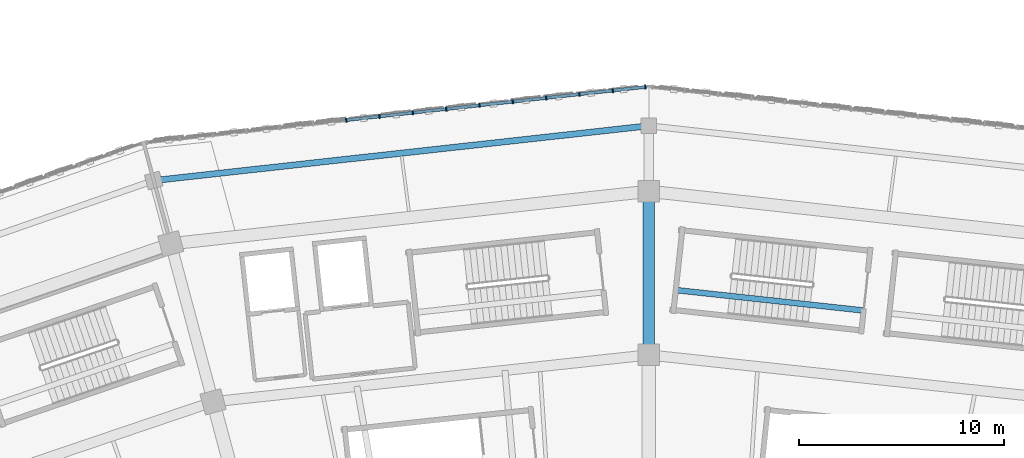
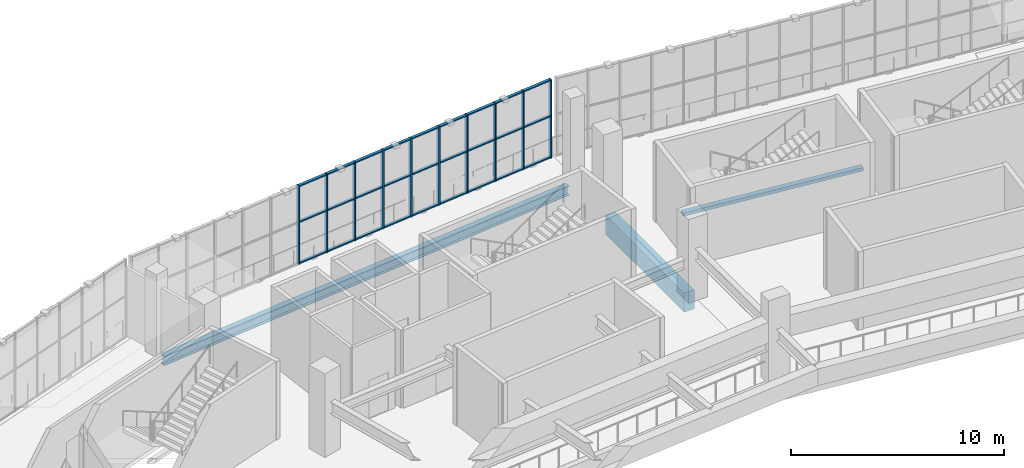
# One storey, part 61 of 179: 37 members, 3 beams, 1 element without a shape of its own.
"""IFC4 building model written with IfcOpenShell, lengths in metres."""

import ifcopenshell
import ifcopenshell.guid

model = None  # the IFC model being written
_history = None  # IfcOwnerHistory: only IFC2X3 demands one
_inside = {}  # id of a spatial element -> (the spatial element, [elements in it])
_under = {}  # id of a project, library or spatial element -> (it, [spatial elements below it])
_declared = {}  # id of a project -> (the project, [libraries it declares])
_typed = {}  # id of a type object -> (the type object, [elements of that type])
_made_of = {}  # id of a material, layer set ... -> (it, [elements and type objects made of it])


def new_model(schema):
    """Start an empty IFC model of exactly this schema.

    Asked for "IFC4X3", IfcOpenShell would pick the latest addendum, in which some entities
    have other attributes; the version numbers below select the first issue.
    IFC2X3 requires an IfcOwnerHistory on every rooted entity: one is made here for all.
    """
    global model, _history
    if schema == "IFC4X3":
        model = ifcopenshell.file(schema_version=(4, 3, 0, 0))
    else:
        model = ifcopenshell.file(schema=schema)
    _inside.clear()
    _under.clear()
    _declared.clear()
    _typed.clear()
    _made_of.clear()
    _history = None
    if model.schema == "IFC2X3":
        org = make("IfcOrganization", Name="unknown")
        user = make(
            "IfcPersonAndOrganization",
            ThePerson=make("IfcPerson", FamilyName="unknown"),
            TheOrganization=org,
        )
        app = make(
            "IfcApplication",
            ApplicationDeveloper=org,
            Version="unknown",
            ApplicationFullName="unknown",
            ApplicationIdentifier="unknown",
        )
        _history = make(
            "IfcOwnerHistory",
            OwningUser=user,
            OwningApplication=app,
            ChangeAction="ADDED",
            CreationDate=0,
        )
    return model


def make(cls, **values):
    """One entity of the class cls with the attributes given. An attribute that is None is left unset."""
    return model.create_entity(
        cls, **{name: value for name, value in values.items() if value is not None}
    )


def rooted(cls, **values):
    """An entity with a GlobalId (a new one), such as an element, a storey or a relation."""
    return make(cls, GlobalId=ifcopenshell.guid.new(), OwnerHistory=_history, **values)


def si_unit(unit_type, name, prefix=None):
    """IfcSIUnit, for example si_unit("LENGTHUNIT", "METRE", prefix="MILLI")."""
    return make("IfcSIUnit", UnitType=unit_type, Prefix=prefix, Name=name)


def assignment(units):
    """IfcUnitAssignment: the units of a project."""
    return None if units is None else make("IfcUnitAssignment", Units=units)


def point(xyz):
    """IfcCartesianPoint."""
    return None if xyz is None else make("IfcCartesianPoint", Coordinates=xyz)


def direction(xyz):
    """IfcDirection."""
    return None if xyz is None else make("IfcDirection", DirectionRatios=xyz)


def frame(location, z_axis=None, x_axis=None):
    """IfcAxis2Placement3D, a coordinate frame: its origin and axes. An axis left out is left unset."""
    return make(
        "IfcAxis2Placement3D",
        Location=point(location),
        Axis=direction(z_axis),
        RefDirection=direction(x_axis),
    )


def frame_2d(location, x_axis=None):
    """IfcAxis2Placement2D, a coordinate frame in the plane: its origin and x axis."""
    return make(
        "IfcAxis2Placement2D", Location=point(location), RefDirection=direction(x_axis)
    )


def origin():
    """The frame at (0, 0, 0) with its axes left unset."""
    return frame((0.0, 0.0, 0.0))


def origin_2d():
    """The frame at (0, 0) in the plane with its x axis left unset."""
    return frame_2d((0.0, 0.0))


def place(relative_to, where):
    """IfcLocalPlacement: puts the frame where relative to a parent placement (None: the world)."""
    return make(
        "IfcLocalPlacement", PlacementRelTo=relative_to, RelativePlacement=where
    )


def context(
    kind, dimensions, precision=None, world=None, true_north=None, identifier=None
):
    """IfcGeometricRepresentationContext, for example the 3D "Model" context."""
    return make(
        "IfcGeometricRepresentationContext",
        ContextIdentifier=identifier,
        ContextType=kind,
        CoordinateSpaceDimension=dimensions,
        Precision=precision,
        WorldCoordinateSystem=world,
        TrueNorth=true_north,
    )


def subcontext(parent, identifier, kind, view, scale=None):
    """IfcGeometricRepresentationSubContext, for example "Body" below "Model"."""
    return make(
        "IfcGeometricRepresentationSubContext",
        ContextIdentifier=identifier,
        ContextType=kind,
        ParentContext=parent,
        TargetScale=scale,
        TargetView=view,
    )


def project(units=None, contexts=None):
    """IfcProject with its units and contexts."""
    return rooted(
        "IfcProject",
        Name="project",
        RepresentationContexts=contexts,
        UnitsInContext=assignment(units),
    )


def spatial(cls, under=None, at=None, **own):
    """A site, building, storey or space (cls), placed at a placement, below another one or the project."""
    s = rooted(cls, ObjectPlacement=at, **own)
    if under is not None:
        _under.setdefault(under.id(), (under, []))[1].append(s)
    return s


def profile(cls, at=None, kind="AREA", **sizes):
    """A parametric profile (cls). Its sizes go by their IFC names, for example OverallWidth=200.0."""
    return make(cls, ProfileType=kind, Position=at, **sizes)


def rectangle(**sizes):
    """IfcRectangleProfileDef."""
    return profile("IfcRectangleProfileDef", **sizes)


def i_section(**sizes):
    """IfcIShapeProfileDef."""
    return profile("IfcIShapeProfileDef", **sizes)


def extrude(swept, where, along, depth):
    """IfcExtrudedAreaSolid: the profile swept, set in the frame where, extruded along a direction by depth."""
    return make(
        "IfcExtrudedAreaSolid",
        SweptArea=swept,
        Position=where,
        ExtrudedDirection=direction(along),
        Depth=depth,
    )


def shape(context_of_items, identifier, shape_type, items):
    """IfcShapeRepresentation: the items that make up one representation, for example the "Body"."""
    return make(
        "IfcShapeRepresentation",
        ContextOfItems=context_of_items,
        RepresentationIdentifier=identifier,
        RepresentationType=shape_type,
        Items=items,
    )


def material(Name=None, Category=None):
    """IfcMaterial."""
    return make("IfcMaterial", Name=Name, Category=Category)


def material_profile(
    of_material, cross_section, Name=None, Category=None, Priority=None
):
    """IfcMaterialProfile: a cross section and its material."""
    return make(
        "IfcMaterialProfile",
        Name=Name,
        Material=of_material,
        Profile=cross_section,
        Priority=Priority,
        Category=Category,
    )


def profile_set(profiles, Name=None, composite=None):
    """IfcMaterialProfileSet."""
    return make(
        "IfcMaterialProfileSet",
        Name=Name,
        MaterialProfiles=profiles,
        CompositeProfile=composite,
    )


def made_of(thing, what):
    """Note that an element or type object is made of a material, layer set ...; save() writes the relation."""
    if what is not None:
        _made_of.setdefault(what.id(), (what, []))[1].append(thing)
    return thing


def type_object(cls, material=None, **own):
    """A type object (cls), such as IfcWallType, which elements share."""
    return made_of(rooted(cls, **own), material)


def element(
    cls,
    number,
    at=None,
    inside=None,
    cuts=None,
    type_object=None,
    material=None,
    context=None,
    identifier="Body",
    shape_type=None,
    held_by="IfcProductDefinitionShape",
    body=None,
    shapes=None,
    **own,
):
    """One element of the class cls, such as IfcWall. Its Tag is "e" and its number.

    at: its placement. inside: the storey or other place that contains it. cuts: it is an
    opening in that element (IfcRelVoidsElement). A single representation is given by context,
    identifier, shape_type and body (its items); several are given by shapes. held_by: the class
    of the entity that holds the representations. save() writes the other relations.
    """
    e = rooted(cls, Tag="e%d" % number, ObjectPlacement=at, **own)
    if body is not None:
        shapes = [shape(context, identifier, shape_type, body)]
    if shapes is not None:
        e.Representation = make(held_by, Representations=shapes)
    if inside is not None:
        _inside.setdefault(inside.id(), (inside, []))[1].append(e)
    if cuts is not None:
        rooted(
            "IfcRelVoidsElement", RelatingBuildingElement=cuts, RelatedOpeningElement=e
        )
    if type_object is not None:
        _typed.setdefault(type_object.id(), (type_object, []))[1].append(e)
    return made_of(e, material)


def aggregate(whole, parts):
    """IfcRelAggregates: a whole, such as a stair, and the parts it consists of."""
    return rooted("IfcRelAggregates", RelatingObject=whole, RelatedObjects=parts)


def save(model, path):
    """Write the relations noted so far, then the file.

    IfcRelAggregates (storeys below a building ...), IfcRelContainedInSpatialStructure (elements
    in a storey), IfcRelDefinesByType, IfcRelAssociatesMaterial and IfcRelDeclares: one each for
    every whole, place, type object, material and project.
    """
    for whole, parts in _under.values():
        aggregate(whole, parts)
    for where, things in _inside.values():
        rooted(
            "IfcRelContainedInSpatialStructure",
            RelatedElements=things,
            RelatingStructure=where,
        )
    for kind, things in _typed.values():
        rooted("IfcRelDefinesByType", RelatedObjects=things, RelatingType=kind)
    for what, things in _made_of.values():
        rooted("IfcRelAssociatesMaterial", RelatedObjects=things, RelatingMaterial=what)
    for by, libraries in _declared.values():
        rooted("IfcRelDeclares", RelatingContext=by, RelatedDefinitions=libraries)
    model.write(path)


model = new_model("IFC4")

# Units and contexts
model_context = context("Model", 3, precision=1e-05, world=origin(), true_north=direction((0.0, 1.0)))
body_context = subcontext(model_context, "Body", "Model", "MODEL_VIEW")
ifc_project = project(units=[si_unit("LENGTHUNIT", "METRE"), si_unit("AREAUNIT", "SQUARE_METRE"), si_unit("VOLUMEUNIT", "CUBIC_METRE"), si_unit("PLANEANGLEUNIT", "RADIAN"), si_unit("MASSUNIT", "GRAM", prefix="KILO")], contexts=[model_context])

# Site, building, storey
site_placement = place(None, origin())
site = spatial("IfcSite", under=ifc_project, at=site_placement, CompositionType="ELEMENT")
building_placement = place(site_placement, origin())
building = spatial("IfcBuilding", under=site, at=building_placement, Name="Zevraka Park Crest Stadium", CompositionType="ELEMENT")
storey_placement = place(building_placement, frame((0.0, 0.0, 10.199951171875)))
storey = spatial("IfcBuildingStorey", under=building, at=storey_placement, Name="L02", CompositionType="ELEMENT", Elevation=10.199951171875)

# Beam
ifc_material_1 = material(Name="Concrete C40/50", Category="concrete")
ifc_material_profile_1 = material_profile(ifc_material_1, rectangle(XDim=0.550048828125, YDim=1.10009765625, at=origin_2d()), Name="RC 1100x550")
ifc_profile_set_1 = profile_set([ifc_material_profile_1], Name="Concrete C40/50")
beam_type_1 = type_object("IfcBeamType", Name="BG02", PredefinedType="BEAM", material=ifc_profile_set_1)
beam_1_placement = place(storey_placement, frame((112.0, 159.60009765625, -0.56005859375), z_axis=(0.0, 1.0, 0.0), x_axis=(-1.0, 0.0, 0.0)))
element("IfcBeam", 1, at=beam_1_placement, inside=storey, type_object=beam_type_1, Name="Radial Girder BG02 L02-CD-06", PredefinedType="BEAM", context=body_context, shape_type="SweptSolid", body=[
    extrude(rectangle(XDim=0.550048828125, YDim=1.10009765625, at=origin_2d()), origin(), (0.0, 0.0, 1.0), 7.39990234375),
])

# Curtain wall, members
ifc_material_2 = material(Name="Anodised architectural aluminium and laminated safety glass", Category="aluminium")
curtain_wall_type = type_object("IfcCurtainWallType", Name="CW06", PredefinedType="NOTDEFINED", material=ifc_material_2)
curtain_wall_placement = place(storey_placement, origin())
curtain_wall = element("IfcCurtainWall", 2, at=curtain_wall_placement, inside=storey, type_object=curtain_wall_type, Name="Unitised Ring Curtain Wall CW06 L02-06", PredefinedType="NOTDEFINED")
ifc_material_3 = material(Name="Anodised architectural aluminium", Category="aluminium")
ifc_material_profile_2 = material_profile(ifc_material_3, rectangle(XDim=0.199951171875, YDim=0.070068359375, at=origin_2d()), Name="ALU MULLION 200x70")
ifc_profile_set_2 = profile_set([ifc_material_profile_2], Name="Anodised architectural aluminium")
member_type_1 = type_object("IfcMemberType", Name="CM03", PredefinedType="MULLION", material=ifc_profile_set_2)
member_1_placement = place(storey_placement, frame((111.835205078125, 172.401123046875, 0.0), z_axis=(0.0, 0.0, 1.0), x_axis=(0.110293152687, -0.993899099743, 0.0)))
member_1 = element("IfcMember", 3, at=member_1_placement, type_object=member_type_1, Name="CW06 mullion 1", PredefinedType="MULLION", context=body_context, shape_type="SweptSolid", body=[
    extrude(rectangle(XDim=0.199951171875, YDim=0.070068359375, at=origin_2d()), origin(), (0.0, 0.0, 1.0), 4.5),
])
member_2_placement = place(storey_placement, frame((110.24072265625, 172.22412109375, 0.0), z_axis=(0.0, 0.0, 1.0), x_axis=(0.110293152687, -0.993899099743, 0.0)))
member_2 = element("IfcMember", 4, at=member_2_placement, type_object=member_type_1, Name="CW06 mullion 2", PredefinedType="MULLION", context=body_context, shape_type="SweptSolid", body=[
    extrude(rectangle(XDim=0.199951171875, YDim=0.070068359375, at=origin_2d()), origin(), (0.0, 0.0, 1.0), 4.5),
])
member_3_placement = place(storey_placement, frame((108.611572265625, 172.04345703125, 0.0), z_axis=(0.0, 0.0, 1.0), x_axis=(0.110293152687, -0.993899099743, 0.0)))
member_3 = element("IfcMember", 5, at=member_3_placement, type_object=member_type_1, Name="CW06 mullion 3", PredefinedType="MULLION", context=body_context, shape_type="SweptSolid", body=[
    extrude(rectangle(XDim=0.199951171875, YDim=0.070068359375, at=origin_2d()), origin(), (0.0, 0.0, 1.0), 4.5),
])
member_4_placement = place(storey_placement, frame((106.982177734375, 171.862548828125, 0.0), z_axis=(0.0, 0.0, 1.0), x_axis=(0.110293152687, -0.993899099743, 0.0)))
member_4 = element("IfcMember", 6, at=member_4_placement, type_object=member_type_1, Name="CW06 mullion 4", PredefinedType="MULLION", context=body_context, shape_type="SweptSolid", body=[
    extrude(rectangle(XDim=0.199951171875, YDim=0.070068359375, at=origin_2d()), origin(), (0.0, 0.0, 1.0), 4.5),
])
member_5_placement = place(storey_placement, frame((105.35302734375, 171.681884765625, 0.0), z_axis=(0.0, 0.0, 1.0), x_axis=(0.110293152687, -0.993899099743, 0.0)))
member_5 = element("IfcMember", 7, at=member_5_placement, type_object=member_type_1, Name="CW06 mullion 5", PredefinedType="MULLION", context=body_context, shape_type="SweptSolid", body=[
    extrude(rectangle(XDim=0.199951171875, YDim=0.070068359375, at=origin_2d()), origin(), (0.0, 0.0, 1.0), 4.5),
])
member_6_placement = place(storey_placement, frame((103.7236328125, 171.5009765625, 0.0), z_axis=(0.0, 0.0, 1.0), x_axis=(0.110293152687, -0.993899099743, 0.0)))
member_6 = element("IfcMember", 8, at=member_6_placement, type_object=member_type_1, Name="CW06 mullion 6", PredefinedType="MULLION", context=body_context, shape_type="SweptSolid", body=[
    extrude(rectangle(XDim=0.199951171875, YDim=0.070068359375, at=origin_2d()), origin(), (0.0, 0.0, 1.0), 4.5),
])
member_7_placement = place(storey_placement, frame((102.094482421875, 171.3203125, 0.0), z_axis=(0.0, 0.0, 1.0), x_axis=(0.110293152687, -0.993899099743, 0.0)))
member_7 = element("IfcMember", 9, at=member_7_placement, type_object=member_type_1, Name="CW06 mullion 7", PredefinedType="MULLION", context=body_context, shape_type="SweptSolid", body=[
    extrude(rectangle(XDim=0.199951171875, YDim=0.070068359375, at=origin_2d()), origin(), (0.0, 0.0, 1.0), 4.5),
])
member_8_placement = place(storey_placement, frame((100.465087890625, 171.139404296875, 0.0), z_axis=(0.0, 0.0, 1.0), x_axis=(0.110293152687, -0.993899099743, 0.0)))
member_8 = element("IfcMember", 10, at=member_8_placement, type_object=member_type_1, Name="CW06 mullion 8", PredefinedType="MULLION", context=body_context, shape_type="SweptSolid", body=[
    extrude(rectangle(XDim=0.199951171875, YDim=0.070068359375, at=origin_2d()), origin(), (0.0, 0.0, 1.0), 4.5),
])
member_9_placement = place(storey_placement, frame((98.8359375, 170.95849609375, 0.0), z_axis=(0.0, 0.0, 1.0), x_axis=(0.110293152687, -0.993899099743, 0.0)))
member_9 = element("IfcMember", 11, at=member_9_placement, type_object=member_type_1, Name="CW06 mullion 9", PredefinedType="MULLION", context=body_context, shape_type="SweptSolid", body=[
    extrude(rectangle(XDim=0.199951171875, YDim=0.070068359375, at=origin_2d()), origin(), (0.0, 0.0, 1.0), 4.5),
])
member_10_placement = place(storey_placement, frame((97.20654296875, 170.77783203125, 0.0), z_axis=(0.0, 0.0, 1.0), x_axis=(0.110293152687, -0.993899099743, 0.0)))
member_10 = element("IfcMember", 12, at=member_10_placement, type_object=member_type_1, Name="CW06 mullion 10", PredefinedType="MULLION", context=body_context, shape_type="SweptSolid", body=[
    extrude(rectangle(XDim=0.199951171875, YDim=0.070068359375, at=origin_2d()), origin(), (0.0, 0.0, 1.0), 4.5),
])
ifc_material_4 = material(Name="Anodised architectural aluminium", Category="aluminium")
ifc_material_profile_3 = material_profile(ifc_material_4, rectangle(XDim=0.14990234375, YDim=0.070068359375, at=origin_2d()), Name="ALU TRANSOM 150x70")
ifc_profile_set_3 = profile_set([ifc_material_profile_3], Name="Anodised architectural aluminium")
member_type_2 = type_object("IfcMemberType", Name="CT03", PredefinedType="USERDEFINED", material=ifc_profile_set_3)
member_11_placement = place(storey_placement, frame((111.800537109375, 172.397216796875, 0.03515625), z_axis=(-0.993901187296, -0.110274339224, 0.0), x_axis=(0.110274339224, -0.993901187296, 0.0)))
member_11 = element("IfcMember", 13, at=member_11_placement, type_object=member_type_2, Name="CW06 transom 1.1", ObjectType="TRANSOM", PredefinedType="USERDEFINED", context=body_context, shape_type="SweptSolid", body=[
    extrude(rectangle(XDim=0.14990234375, YDim=0.070068359375, at=origin_2d()), origin(), (0.0, 0.0, 1.0), 1.5341796875),
])
member_12_placement = place(storey_placement, frame((111.800537109375, 172.397216796875, 2.400146484375), z_axis=(-0.993901187296, -0.110274339224, 0.0), x_axis=(0.110274339224, -0.993901187296, 0.0)))
member_12 = element("IfcMember", 14, at=member_12_placement, type_object=member_type_2, Name="CW06 transom 1.2", ObjectType="TRANSOM", PredefinedType="USERDEFINED", context=body_context, shape_type="SweptSolid", body=[
    extrude(rectangle(XDim=0.14990234375, YDim=0.070068359375, at=origin_2d()), origin(), (0.0, 0.0, 1.0), 1.5341796875),
])
member_13_placement = place(storey_placement, frame((111.800537109375, 172.397216796875, 4.465087890625), z_axis=(-0.993901187296, -0.110274339224, 0.0), x_axis=(0.110274339224, -0.993901187296, 0.0)))
member_13 = element("IfcMember", 15, at=member_13_placement, type_object=member_type_2, Name="CW06 transom 1.3", ObjectType="TRANSOM", PredefinedType="USERDEFINED", context=body_context, shape_type="SweptSolid", body=[
    extrude(rectangle(XDim=0.14990234375, YDim=0.070068359375, at=origin_2d()), origin(), (0.0, 0.0, 1.0), 1.5341796875),
])
member_14_placement = place(storey_placement, frame((110.2060546875, 172.220458984375, 0.03515625), z_axis=(-0.993898902271, -0.110294932182, 0.0), x_axis=(0.110294932182, -0.993898902271, 0.0)))
member_14 = element("IfcMember", 16, at=member_14_placement, type_object=member_type_2, Name="CW06 transom 2.1", ObjectType="TRANSOM", PredefinedType="USERDEFINED", context=body_context, shape_type="SweptSolid", body=[
    extrude(rectangle(XDim=0.14990234375, YDim=0.070068359375, at=origin_2d()), origin(), (0.0, 0.0, 1.0), 1.5693359375),
])
member_15_placement = place(storey_placement, frame((110.2060546875, 172.220458984375, 2.400146484375), z_axis=(-0.993898902271, -0.110294932182, 0.0), x_axis=(0.110294932182, -0.993898902271, 0.0)))
member_15 = element("IfcMember", 17, at=member_15_placement, type_object=member_type_2, Name="CW06 transom 2.2", ObjectType="TRANSOM", PredefinedType="USERDEFINED", context=body_context, shape_type="SweptSolid", body=[
    extrude(rectangle(XDim=0.14990234375, YDim=0.070068359375, at=origin_2d()), origin(), (0.0, 0.0, 1.0), 1.5693359375),
])
member_16_placement = place(storey_placement, frame((110.2060546875, 172.220458984375, 4.465087890625), z_axis=(-0.993898902271, -0.110294932182, 0.0), x_axis=(0.110294932182, -0.993898902271, 0.0)))
member_16 = element("IfcMember", 18, at=member_16_placement, type_object=member_type_2, Name="CW06 transom 2.3", ObjectType="TRANSOM", PredefinedType="USERDEFINED", context=body_context, shape_type="SweptSolid", body=[
    extrude(rectangle(XDim=0.14990234375, YDim=0.070068359375, at=origin_2d()), origin(), (0.0, 0.0, 1.0), 1.5693359375),
])
member_17_placement = place(storey_placement, frame((108.57666015625, 172.03955078125, 0.03515625), z_axis=(-0.993897009399, -0.11031198805, 0.0), x_axis=(0.11031198805, -0.993897009399, 0.0)))
member_17 = element("IfcMember", 19, at=member_17_placement, type_object=member_type_2, Name="CW06 transom 3.1", ObjectType="TRANSOM", PredefinedType="USERDEFINED", context=body_context, shape_type="SweptSolid", body=[
    extrude(rectangle(XDim=0.14990234375, YDim=0.070068359375, at=origin_2d()), origin(), (0.0, 0.0, 1.0), 1.569091796875),
])
member_18_placement = place(storey_placement, frame((108.57666015625, 172.03955078125, 2.400146484375), z_axis=(-0.993897009399, -0.11031198805, 0.0), x_axis=(0.11031198805, -0.993897009399, 0.0)))
member_18 = element("IfcMember", 20, at=member_18_placement, type_object=member_type_2, Name="CW06 transom 3.2", ObjectType="TRANSOM", PredefinedType="USERDEFINED", context=body_context, shape_type="SweptSolid", body=[
    extrude(rectangle(XDim=0.14990234375, YDim=0.070068359375, at=origin_2d()), origin(), (0.0, 0.0, 1.0), 1.569091796875),
])
member_19_placement = place(storey_placement, frame((108.57666015625, 172.03955078125, 4.465087890625), z_axis=(-0.993897009399, -0.11031198805, 0.0), x_axis=(0.11031198805, -0.993897009399, 0.0)))
member_19 = element("IfcMember", 21, at=member_19_placement, type_object=member_type_2, Name="CW06 transom 3.3", ObjectType="TRANSOM", PredefinedType="USERDEFINED", context=body_context, shape_type="SweptSolid", body=[
    extrude(rectangle(XDim=0.14990234375, YDim=0.070068359375, at=origin_2d()), origin(), (0.0, 0.0, 1.0), 1.569091796875),
])
member_20_placement = place(storey_placement, frame((106.947509765625, 171.858642578125, 0.03515625), z_axis=(-0.993898902271, -0.110294932182, 0.0), x_axis=(0.110294932182, -0.993898902271, 0.0)))
member_20 = element("IfcMember", 22, at=member_20_placement, type_object=member_type_2, Name="CW06 transom 4.1", ObjectType="TRANSOM", PredefinedType="USERDEFINED", context=body_context, shape_type="SweptSolid", body=[
    extrude(rectangle(XDim=0.14990234375, YDim=0.070068359375, at=origin_2d()), origin(), (0.0, 0.0, 1.0), 1.5693359375),
])
member_21_placement = place(storey_placement, frame((106.947509765625, 171.858642578125, 2.400146484375), z_axis=(-0.993898902271, -0.110294932182, 0.0), x_axis=(0.110294932182, -0.993898902271, 0.0)))
member_21 = element("IfcMember", 23, at=member_21_placement, type_object=member_type_2, Name="CW06 transom 4.2", ObjectType="TRANSOM", PredefinedType="USERDEFINED", context=body_context, shape_type="SweptSolid", body=[
    extrude(rectangle(XDim=0.14990234375, YDim=0.070068359375, at=origin_2d()), origin(), (0.0, 0.0, 1.0), 1.5693359375),
])
member_22_placement = place(storey_placement, frame((106.947509765625, 171.858642578125, 4.465087890625), z_axis=(-0.993898902271, -0.110294932182, 0.0), x_axis=(0.110294932182, -0.993898902271, 0.0)))
member_22 = element("IfcMember", 24, at=member_22_placement, type_object=member_type_2, Name="CW06 transom 4.3", ObjectType="TRANSOM", PredefinedType="USERDEFINED", context=body_context, shape_type="SweptSolid", body=[
    extrude(rectangle(XDim=0.14990234375, YDim=0.070068359375, at=origin_2d()), origin(), (0.0, 0.0, 1.0), 1.5693359375),
])
member_23_placement = place(storey_placement, frame((105.318115234375, 171.677978515625, 0.03515625), z_axis=(-0.993897009399, -0.11031198805, 0.0), x_axis=(0.11031198805, -0.993897009399, 0.0)))
member_23 = element("IfcMember", 25, at=member_23_placement, type_object=member_type_2, Name="CW06 transom 5.1", ObjectType="TRANSOM", PredefinedType="USERDEFINED", context=body_context, shape_type="SweptSolid", body=[
    extrude(rectangle(XDim=0.14990234375, YDim=0.070068359375, at=origin_2d()), origin(), (0.0, 0.0, 1.0), 1.569091796875),
])
member_24_placement = place(storey_placement, frame((105.318115234375, 171.677978515625, 2.400146484375), z_axis=(-0.993897009399, -0.11031198805, 0.0), x_axis=(0.11031198805, -0.993897009399, 0.0)))
member_24 = element("IfcMember", 26, at=member_24_placement, type_object=member_type_2, Name="CW06 transom 5.2", ObjectType="TRANSOM", PredefinedType="USERDEFINED", context=body_context, shape_type="SweptSolid", body=[
    extrude(rectangle(XDim=0.14990234375, YDim=0.070068359375, at=origin_2d()), origin(), (0.0, 0.0, 1.0), 1.569091796875),
])
member_25_placement = place(storey_placement, frame((105.318115234375, 171.677978515625, 4.465087890625), z_axis=(-0.993897009399, -0.11031198805, 0.0), x_axis=(0.11031198805, -0.993897009399, 0.0)))
member_25 = element("IfcMember", 27, at=member_25_placement, type_object=member_type_2, Name="CW06 transom 5.3", ObjectType="TRANSOM", PredefinedType="USERDEFINED", context=body_context, shape_type="SweptSolid", body=[
    extrude(rectangle(XDim=0.14990234375, YDim=0.070068359375, at=origin_2d()), origin(), (0.0, 0.0, 1.0), 1.569091796875),
])
member_26_placement = place(storey_placement, frame((103.68896484375, 171.4970703125, 0.03515625), z_axis=(-0.993898902271, -0.110294932182, 0.0), x_axis=(0.110294932182, -0.993898902271, 0.0)))
member_26 = element("IfcMember", 28, at=member_26_placement, type_object=member_type_2, Name="CW06 transom 6.1", ObjectType="TRANSOM", PredefinedType="USERDEFINED", context=body_context, shape_type="SweptSolid", body=[
    extrude(rectangle(XDim=0.14990234375, YDim=0.070068359375, at=origin_2d()), origin(), (0.0, 0.0, 1.0), 1.5693359375),
])
member_27_placement = place(storey_placement, frame((103.68896484375, 171.4970703125, 2.400146484375), z_axis=(-0.993898902271, -0.110294932182, 0.0), x_axis=(0.110294932182, -0.993898902271, 0.0)))
member_27 = element("IfcMember", 29, at=member_27_placement, type_object=member_type_2, Name="CW06 transom 6.2", ObjectType="TRANSOM", PredefinedType="USERDEFINED", context=body_context, shape_type="SweptSolid", body=[
    extrude(rectangle(XDim=0.14990234375, YDim=0.070068359375, at=origin_2d()), origin(), (0.0, 0.0, 1.0), 1.5693359375),
])
member_28_placement = place(storey_placement, frame((103.68896484375, 171.4970703125, 4.465087890625), z_axis=(-0.993898902271, -0.110294932182, 0.0), x_axis=(0.110294932182, -0.993898902271, 0.0)))
member_28 = element("IfcMember", 30, at=member_28_placement, type_object=member_type_2, Name="CW06 transom 6.3", ObjectType="TRANSOM", PredefinedType="USERDEFINED", context=body_context, shape_type="SweptSolid", body=[
    extrude(rectangle(XDim=0.14990234375, YDim=0.070068359375, at=origin_2d()), origin(), (0.0, 0.0, 1.0), 1.5693359375),
])
member_29_placement = place(storey_placement, frame((102.0595703125, 171.31640625, 0.03515625), z_axis=(-0.993897009399, -0.11031198805, 0.0), x_axis=(0.11031198805, -0.993897009399, 0.0)))
member_29 = element("IfcMember", 31, at=member_29_placement, type_object=member_type_2, Name="CW06 transom 7.1", ObjectType="TRANSOM", PredefinedType="USERDEFINED", context=body_context, shape_type="SweptSolid", body=[
    extrude(rectangle(XDim=0.14990234375, YDim=0.070068359375, at=origin_2d()), origin(), (0.0, 0.0, 1.0), 1.569091796875),
])
member_30_placement = place(storey_placement, frame((102.0595703125, 171.31640625, 2.400146484375), z_axis=(-0.993897009399, -0.11031198805, 0.0), x_axis=(0.11031198805, -0.993897009399, 0.0)))
member_30 = element("IfcMember", 32, at=member_30_placement, type_object=member_type_2, Name="CW06 transom 7.2", ObjectType="TRANSOM", PredefinedType="USERDEFINED", context=body_context, shape_type="SweptSolid", body=[
    extrude(rectangle(XDim=0.14990234375, YDim=0.070068359375, at=origin_2d()), origin(), (0.0, 0.0, 1.0), 1.569091796875),
])
member_31_placement = place(storey_placement, frame((102.0595703125, 171.31640625, 4.465087890625), z_axis=(-0.993897009399, -0.11031198805, 0.0), x_axis=(0.11031198805, -0.993897009399, 0.0)))
member_31 = element("IfcMember", 33, at=member_31_placement, type_object=member_type_2, Name="CW06 transom 7.3", ObjectType="TRANSOM", PredefinedType="USERDEFINED", context=body_context, shape_type="SweptSolid", body=[
    extrude(rectangle(XDim=0.14990234375, YDim=0.070068359375, at=origin_2d()), origin(), (0.0, 0.0, 1.0), 1.569091796875),
])
member_32_placement = place(storey_placement, frame((100.430419921875, 171.135498046875, 0.03515625), z_axis=(-0.993898902271, -0.110294932182, 0.0), x_axis=(0.110294932182, -0.993898902271, 0.0)))
member_32 = element("IfcMember", 34, at=member_32_placement, type_object=member_type_2, Name="CW06 transom 8.1", ObjectType="TRANSOM", PredefinedType="USERDEFINED", context=body_context, shape_type="SweptSolid", body=[
    extrude(rectangle(XDim=0.14990234375, YDim=0.070068359375, at=origin_2d()), origin(), (0.0, 0.0, 1.0), 1.5693359375),
])
member_33_placement = place(storey_placement, frame((100.430419921875, 171.135498046875, 2.400146484375), z_axis=(-0.993898902271, -0.110294932182, 0.0), x_axis=(0.110294932182, -0.993898902271, 0.0)))
member_33 = element("IfcMember", 35, at=member_33_placement, type_object=member_type_2, Name="CW06 transom 8.2", ObjectType="TRANSOM", PredefinedType="USERDEFINED", context=body_context, shape_type="SweptSolid", body=[
    extrude(rectangle(XDim=0.14990234375, YDim=0.070068359375, at=origin_2d()), origin(), (0.0, 0.0, 1.0), 1.5693359375),
])
member_34_placement = place(storey_placement, frame((100.430419921875, 171.135498046875, 4.465087890625), z_axis=(-0.993898902271, -0.110294932182, 0.0), x_axis=(0.110294932182, -0.993898902271, 0.0)))
member_34 = element("IfcMember", 36, at=member_34_placement, type_object=member_type_2, Name="CW06 transom 8.3", ObjectType="TRANSOM", PredefinedType="USERDEFINED", context=body_context, shape_type="SweptSolid", body=[
    extrude(rectangle(XDim=0.14990234375, YDim=0.070068359375, at=origin_2d()), origin(), (0.0, 0.0, 1.0), 1.5693359375),
])
member_35_placement = place(storey_placement, frame((98.801025390625, 170.954833984375, 0.03515625), z_axis=(-0.993897009399, -0.11031198805, 0.0), x_axis=(0.11031198805, -0.993897009399, 0.0)))
member_35 = element("IfcMember", 37, at=member_35_placement, type_object=member_type_2, Name="CW06 transom 9.1", ObjectType="TRANSOM", PredefinedType="USERDEFINED", context=body_context, shape_type="SweptSolid", body=[
    extrude(rectangle(XDim=0.14990234375, YDim=0.070068359375, at=origin_2d()), origin(), (0.0, 0.0, 1.0), 1.569091796875),
])
member_36_placement = place(storey_placement, frame((98.801025390625, 170.954833984375, 2.400146484375), z_axis=(-0.993897009399, -0.11031198805, 0.0), x_axis=(0.11031198805, -0.993897009399, 0.0)))
member_36 = element("IfcMember", 38, at=member_36_placement, type_object=member_type_2, Name="CW06 transom 9.2", ObjectType="TRANSOM", PredefinedType="USERDEFINED", context=body_context, shape_type="SweptSolid", body=[
    extrude(rectangle(XDim=0.14990234375, YDim=0.070068359375, at=origin_2d()), origin(), (0.0, 0.0, 1.0), 1.569091796875),
])
member_37_placement = place(storey_placement, frame((98.801025390625, 170.954833984375, 4.465087890625), z_axis=(-0.993897009399, -0.11031198805, 0.0), x_axis=(0.11031198805, -0.993897009399, 0.0)))
member_37 = element("IfcMember", 39, at=member_37_placement, type_object=member_type_2, Name="CW06 transom 9.3", ObjectType="TRANSOM", PredefinedType="USERDEFINED", context=body_context, shape_type="SweptSolid", body=[
    extrude(rectangle(XDim=0.14990234375, YDim=0.070068359375, at=origin_2d()), origin(), (0.0, 0.0, 1.0), 1.569091796875),
])
aggregate(curtain_wall, [member_1, member_2, member_3, member_4, member_5, member_6, member_7, member_8, member_9, member_10, member_11, member_12, member_13, member_14, member_15, member_16, member_17, member_18, member_19, member_20, member_21, member_22, member_23, member_24, member_25, member_26, member_27, member_28, member_29, member_30, member_31, member_32, member_33, member_34, member_35, member_36, member_37])

# Beams
ifc_material_5 = material(Name="Steel S355", Category="steel")
ifc_material_profile_4 = material_profile(ifc_material_5, i_section(OverallWidth=0.300048828125, OverallDepth=0.550048828125, WebThickness=0.014892578125, FlangeThickness=0.029052734375, at=origin_2d()), Name="HEB 550")
ifc_profile_set_4 = profile_set([ifc_material_profile_4], Name="Steel S355")
beam_type_2 = type_object("IfcBeamType", Name="RB04", PredefinedType="BEAM", material=ifc_profile_set_4)
beam_2_placement = place(storey_placement, frame((111.652099609375, 170.4619140625, -0.5849609375), z_axis=(-0.993942516724, -0.109901198576, 0.0), x_axis=(0.109901198576, -0.993942516724, 0.0)))
element("IfcBeam", 40, at=beam_2_placement, inside=storey, type_object=beam_type_2, Name="Ring Beam RB04 L02-E-06", PredefinedType="BEAM", context=body_context, shape_type="SweptSolid", body=[
    extrude(i_section(OverallWidth=0.300048828125, OverallDepth=0.550048828125, WebThickness=0.014892578125, FlangeThickness=0.029052734375, at=origin_2d()), origin(), (0.0, 0.0, 1.0), 23.6474609375),
])
ifc_material_6 = material(Name="Concrete C40/50", Category="concrete")
ifc_material_profile_5 = material_profile(ifc_material_6, rectangle(XDim=0.280029296875, YDim=0.199951171875, at=origin_2d()), Name="RC 200x280")
ifc_profile_set_5 = profile_set([ifc_material_profile_5], Name="Concrete C40/50")
beam_type_3 = type_object("IfcBeamType", Name="SJ13", PredefinedType="JOIST", material=ifc_profile_set_5)
beam_3_placement = place(storey_placement, frame((122.47998046875, 161.472900390625, 2.300048828125), z_axis=(-0.994127809114, 0.108212287404, 0.0), x_axis=(-0.108212287404, -0.994127809114, 0.0)))
element("IfcBeam", 41, at=beam_3_placement, inside=storey, type_object=beam_type_3, Name="Stair Upper-Flight Longitudinal Stringer SJ13 ST26-L02", PredefinedType="JOIST", context=body_context, shape_type="SweptSolid", body=[
    extrude(rectangle(XDim=0.280029296875, YDim=0.199951171875, at=origin_2d()), origin(), (0.0, 0.0, 1.0), 9.25),
])

save(model, "model.ifc")
